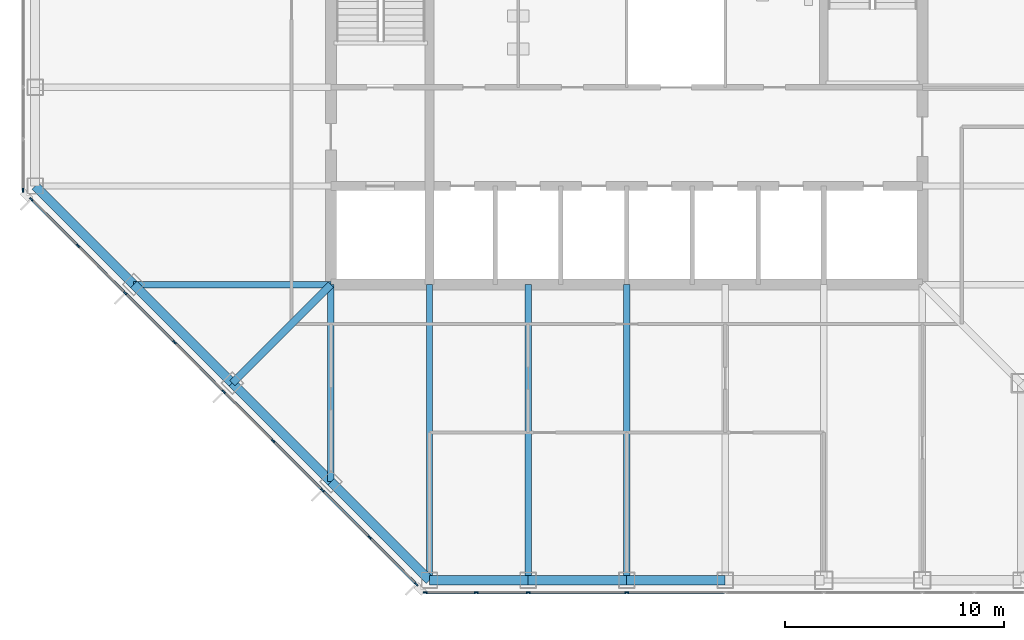
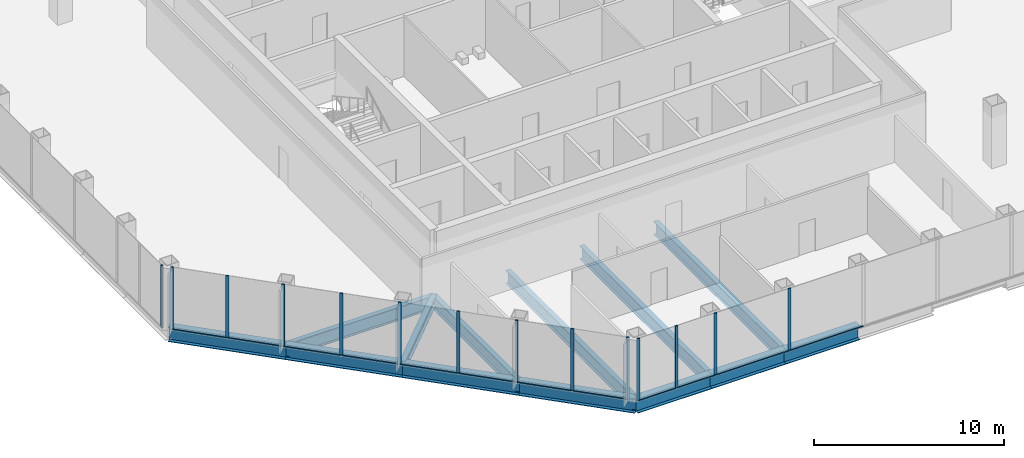
# One storey, part 2 of 12: 26 members, 13 beams, 3 elements without a shape of their own.
"""IFC4 building model written with IfcOpenShell, lengths in metres."""

from ifc_helpers import new_model, si_unit, direction, frame, origin, origin_2d, place, context, subcontext, project, spatial, rectangle, i_section, extrude, material, material_profile, profile_set, type_object, element, aggregate, save


model = new_model("IFC4")

# Units and contexts
model_context = context("Model", 3, precision=1e-05, world=origin(), true_north=direction((0.0, 1.0)))
body_context = subcontext(model_context, "Body", "Model", "MODEL_VIEW")
ifc_project = project(units=[si_unit("LENGTHUNIT", "METRE"), si_unit("AREAUNIT", "SQUARE_METRE"), si_unit("VOLUMEUNIT", "CUBIC_METRE"), si_unit("PLANEANGLEUNIT", "RADIAN"), si_unit("MASSUNIT", "GRAM", prefix="KILO")], contexts=[model_context])

# Site, building, storey
site_placement = place(None, origin())
site = spatial("IfcSite", under=ifc_project, at=site_placement, CompositionType="ELEMENT")
building_placement = place(site_placement, origin())
building = spatial("IfcBuilding", under=site, at=building_placement, Name="Corais Broadcast Tower", CompositionType="ELEMENT")
storey_placement = place(building_placement, frame((0.0, 0.0, 187.60009765625)))
storey = spatial("IfcBuildingStorey", under=building, at=storey_placement, Name="L43", CompositionType="ELEMENT", Elevation=187.60009765625)

# Beams
ifc_material_1 = material(Name="Steel ASTM A572 Grade 50", Category="steel")
ifc_material_profile_1 = material_profile(ifc_material_1, i_section(OverallWidth=0.323974609375, OverallDepth=0.611083984375, WebThickness=0.0126953125, FlangeThickness=0.01904296875, at=origin_2d()), Name="W610x155")
ifc_profile_set_1 = profile_set([ifc_material_profile_1], Name="Steel ASTM A572 Grade 50")
beam_type_1 = type_object("IfcBeamType", Name="Corner diagonal W610x155", PredefinedType="BEAM", material=ifc_profile_set_1)
beam_1_placement = place(storey_placement, frame((9.0, 9.0, -0.465576171875), z_axis=(0.707106781187, 0.707106781187, 0.0), x_axis=(-0.707106781187, 0.707106781187, 0.0)))
element("IfcBeam", 1, at=beam_1_placement, inside=storey, type_object=beam_type_1, Name="B6 C/5 to D/6", PredefinedType="BEAM", context=body_context, shape_type="SweptSolid", body=[
    extrude(i_section(OverallWidth=0.323974609375, OverallDepth=0.611083984375, WebThickness=0.0126953125, FlangeThickness=0.01904296875, at=origin_2d()), origin(), (0.0, 0.0, 1.0), 6.364013671875),
])
ifc_material_2 = material(Name="Steel ASTM A572 Grade 50", Category="steel")
ifc_material_profile_2 = material_profile(ifc_material_2, i_section(OverallWidth=0.2939453125, OverallDepth=0.85107421875, WebThickness=0.01611328125, FlangeThickness=0.02685546875, at=origin_2d()), Name="W840x226")
ifc_profile_set_2 = profile_set([ifc_material_profile_2], Name="Steel ASTM A572 Grade 50")
beam_type_2 = type_object("IfcBeamType", Name="Floor beam W840x226", PredefinedType="BEAM", material=ifc_profile_set_2)
beam_2_placement = place(storey_placement, frame((13.5, 4.5, -0.585693359375), z_axis=(0.0, 1.0, 0.0), x_axis=(-1.0, 0.0, 0.0)))
element("IfcBeam", 2, at=beam_2_placement, inside=storey, type_object=beam_type_2, Name="B1 B/6 to D/6", PredefinedType="BEAM", context=body_context, shape_type="SweptSolid", body=[
    extrude(i_section(OverallWidth=0.2939453125, OverallDepth=0.85107421875, WebThickness=0.01611328125, FlangeThickness=0.02685546875, at=origin_2d()), origin(), (0.0, 0.0, 1.0), 9.0),
])
for number, where, z_axis, x_axis, name in (
    (3, (18.0, 0.0, -0.585693359375), (0.0, 1.0, 0.0), (-1.0, 0.0, 0.0), "B1 A/7 to D/7"),
    (4, (22.5, 0.0, -0.585693359375), (0.0, 1.0, 0.0), (-1.0, 0.0, 0.0), "B1 A/8 to D/8"),
    (5, (27.0, 0.0, -0.585693359375), (0.0, 1.0, 0.0), (-1.0, 0.0, 0.0), "B1 A/9 to D/9"),
):
    element("IfcBeam", number, at=place(storey_placement, frame(where, z_axis=z_axis, x_axis=x_axis)), inside=storey, type_object=beam_type_2, Name=name, PredefinedType="BEAM", context=body_context, shape_type="SweptSolid", body=[
        extrude(i_section(OverallWidth=0.2939453125, OverallDepth=0.85107421875, WebThickness=0.01611328125, FlangeThickness=0.02685546875, at=origin_2d()), origin(), (0.0, 0.0, 1.0), 13.5),
    ])
beam_3_placement = place(storey_placement, frame((4.5, 13.5, -0.585693359375), z_axis=(1.0, 0.0, 0.0), x_axis=(0.0, 1.0, 0.0)))
element("IfcBeam", 6, at=beam_3_placement, inside=storey, type_object=beam_type_2, Name="B1 D/4 to D/6", PredefinedType="BEAM", context=body_context, shape_type="SweptSolid", body=[
    extrude(i_section(OverallWidth=0.2939453125, OverallDepth=0.85107421875, WebThickness=0.01611328125, FlangeThickness=0.02685546875, at=origin_2d()), origin(), (0.0, 0.0, 1.0), 9.0),
])

# Curtain wall, members
ifc_material_3 = material(Name="Aluminium and glass", Category="aluminium")
curtain_wall_type = type_object("IfcCurtainWallType", Name="Unitised fritted curtain wall CW2", PredefinedType="NOTDEFINED", material=ifc_material_3)
curtain_wall_1_placement = place(storey_placement, origin())
curtain_wall_1 = element("IfcCurtainWall", 7, at=curtain_wall_1_placement, inside=storey, type_object=curtain_wall_type, Name="CW2 curtain wall L43 1", PredefinedType="NOTDEFINED")
ifc_material_4 = material(Name="Aluminium 6063-T6", Category="aluminium")
ifc_material_profile_3 = material_profile(ifc_material_4, rectangle(XDim=0.06494140625, YDim=0.179931640625, at=origin_2d()), Name="Mullion CW2 65x180")
ifc_profile_set_3 = profile_set([ifc_material_profile_3], Name="Aluminium 6063-T6")
member_type_1 = type_object("IfcMemberType", Name="Mullion CW2 65x180", PredefinedType="MULLION", material=ifc_profile_set_3)
member_1_placement = place(storey_placement, frame((17.3955078125, -0.17333984375, 0.0), z_axis=(0.0, 0.0, 1.0), x_axis=(-0.707106781187, -0.707106781187, 0.0)))
member_1 = element("IfcMember", 8, at=member_1_placement, type_object=member_type_1, Name="CW2 mullion 1", PredefinedType="MULLION", context=body_context, shape_type="SweptSolid", body=[
    extrude(rectangle(XDim=0.06494140625, YDim=0.179931640625, at=origin_2d()), origin(), (0.0, 0.0, 1.0), 4.0),
])
member_2_placement = place(storey_placement, frame((15.264892578125, 1.957275390625, 0.0), z_axis=(0.0, 0.0, 1.0), x_axis=(-0.707106781187, -0.707106781187, 0.0)))
member_2 = element("IfcMember", 9, at=member_2_placement, type_object=member_type_1, Name="CW2 mullion 2", PredefinedType="MULLION", context=body_context, shape_type="SweptSolid", body=[
    extrude(rectangle(XDim=0.06494140625, YDim=0.179931640625, at=origin_2d()), origin(), (0.0, 0.0, 1.0), 4.0),
])
member_3_placement = place(storey_placement, frame((13.111083984375, 4.111083984375, 0.0), z_axis=(0.0, 0.0, 1.0), x_axis=(-0.707106781187, -0.707106781187, 0.0)))
member_3 = element("IfcMember", 10, at=member_3_placement, type_object=member_type_1, Name="CW2 mullion 3", PredefinedType="MULLION", context=body_context, shape_type="SweptSolid", body=[
    extrude(rectangle(XDim=0.06494140625, YDim=0.179931640625, at=origin_2d()), origin(), (0.0, 0.0, 1.0), 4.0),
])
member_4_placement = place(storey_placement, frame((10.861083984375, 6.361083984375, 0.0), z_axis=(0.0, 0.0, 1.0), x_axis=(-0.707106781187, -0.707106781187, 0.0)))
member_4 = element("IfcMember", 11, at=member_4_placement, type_object=member_type_1, Name="CW2 mullion 4", PredefinedType="MULLION", context=body_context, shape_type="SweptSolid", body=[
    extrude(rectangle(XDim=0.06494140625, YDim=0.179931640625, at=origin_2d()), origin(), (0.0, 0.0, 1.0), 4.0),
])
member_5_placement = place(storey_placement, frame((8.611083984375, 8.611083984375, 0.0), z_axis=(0.0, 0.0, 1.0), x_axis=(-0.707106781187, -0.707106781187, 0.0)))
member_5 = element("IfcMember", 12, at=member_5_placement, type_object=member_type_1, Name="CW2 mullion 5", PredefinedType="MULLION", context=body_context, shape_type="SweptSolid", body=[
    extrude(rectangle(XDim=0.06494140625, YDim=0.179931640625, at=origin_2d()), origin(), (0.0, 0.0, 1.0), 4.0),
])
member_6_placement = place(storey_placement, frame((6.361083984375, 10.861083984375, 0.0), z_axis=(0.0, 0.0, 1.0), x_axis=(-0.707106781187, -0.707106781187, 0.0)))
member_6 = element("IfcMember", 13, at=member_6_placement, type_object=member_type_1, Name="CW2 mullion 6", PredefinedType="MULLION", context=body_context, shape_type="SweptSolid", body=[
    extrude(rectangle(XDim=0.06494140625, YDim=0.179931640625, at=origin_2d()), origin(), (0.0, 0.0, 1.0), 4.0),
])
member_7_placement = place(storey_placement, frame((4.111083984375, 13.111083984375, 0.0), z_axis=(0.0, 0.0, 1.0), x_axis=(-0.707106781187, -0.707106781187, 0.0)))
member_7 = element("IfcMember", 14, at=member_7_placement, type_object=member_type_1, Name="CW2 mullion 7", PredefinedType="MULLION", context=body_context, shape_type="SweptSolid", body=[
    extrude(rectangle(XDim=0.06494140625, YDim=0.179931640625, at=origin_2d()), origin(), (0.0, 0.0, 1.0), 4.0),
])
member_8_placement = place(storey_placement, frame((1.957275390625, 15.264892578125, 0.0), z_axis=(0.0, 0.0, 1.0), x_axis=(-0.707106781187, -0.707106781187, 0.0)))
member_8 = element("IfcMember", 15, at=member_8_placement, type_object=member_type_1, Name="CW2 mullion 8", PredefinedType="MULLION", context=body_context, shape_type="SweptSolid", body=[
    extrude(rectangle(XDim=0.06494140625, YDim=0.179931640625, at=origin_2d()), origin(), (0.0, 0.0, 1.0), 4.0),
])
member_9_placement = place(storey_placement, frame((-0.17333984375, 17.3955078125, 0.0), z_axis=(0.0, 0.0, 1.0), x_axis=(-0.707106781187, -0.707106781187, 0.0)))
member_9 = element("IfcMember", 16, at=member_9_placement, type_object=member_type_1, Name="CW2 mullion 9", PredefinedType="MULLION", context=body_context, shape_type="SweptSolid", body=[
    extrude(rectangle(XDim=0.06494140625, YDim=0.179931640625, at=origin_2d()), origin(), (0.0, 0.0, 1.0), 4.0),
])

# Curtain wall, member
curtain_wall_2_placement = place(storey_placement, origin())
curtain_wall_2 = element("IfcCurtainWall", 17, at=curtain_wall_2_placement, inside=storey, type_object=curtain_wall_type, Name="CW2 curtain wall L43 2", PredefinedType="NOTDEFINED")
member_10_placement = place(storey_placement, frame((-0.550048828125, 17.8046875, 0.0), z_axis=(0.0, 0.0, 1.0), x_axis=(-1.0, 0.0, 0.0)))
member_10 = element("IfcMember", 18, at=member_10_placement, type_object=member_type_1, Name="CW2 mullion 1", PredefinedType="MULLION", context=body_context, shape_type="SweptSolid", body=[
    extrude(rectangle(XDim=0.06494140625, YDim=0.179931640625, at=origin_2d()), origin(), (0.0, 0.0, 1.0), 4.0),
])
aggregate(curtain_wall_2, [member_10])

# Curtain wall, members
curtain_wall_3_placement = place(storey_placement, origin())
curtain_wall_3 = element("IfcCurtainWall", 19, at=curtain_wall_3_placement, inside=storey, type_object=curtain_wall_type, Name="CW2 curtain wall L43 8", PredefinedType="NOTDEFINED")
member_11_placement = place(storey_placement, frame((27.0, -0.550048828125, 0.0), z_axis=(0.0, 0.0, 1.0), x_axis=(0.0, -1.0, 0.0)))
member_11 = element("IfcMember", 20, at=member_11_placement, type_object=member_type_1, Name="CW2 mullion 6", PredefinedType="MULLION", context=body_context, shape_type="SweptSolid", body=[
    extrude(rectangle(XDim=0.06494140625, YDim=0.179931640625, at=origin_2d()), origin(), (0.0, 0.0, 1.0), 4.0),
])
member_12_placement = place(storey_placement, frame((22.5, -0.550048828125, 0.0), z_axis=(0.0, 0.0, 1.0), x_axis=(0.0, -1.0, 0.0)))
member_12 = element("IfcMember", 21, at=member_12_placement, type_object=member_type_1, Name="CW2 mullion 7", PredefinedType="MULLION", context=body_context, shape_type="SweptSolid", body=[
    extrude(rectangle(XDim=0.06494140625, YDim=0.179931640625, at=origin_2d()), origin(), (0.0, 0.0, 1.0), 4.0),
])
member_13_placement = place(storey_placement, frame((20.135986328125, -0.550048828125, 0.0), z_axis=(0.0, 0.0, 1.0), x_axis=(0.0, -1.0, 0.0)))
member_13 = element("IfcMember", 22, at=member_13_placement, type_object=member_type_1, Name="CW2 mullion 8", PredefinedType="MULLION", context=body_context, shape_type="SweptSolid", body=[
    extrude(rectangle(XDim=0.06494140625, YDim=0.179931640625, at=origin_2d()), origin(), (0.0, 0.0, 1.0), 4.0),
])
member_14_placement = place(storey_placement, frame((17.8046875, -0.550048828125, 0.0), z_axis=(0.0, 0.0, 1.0), x_axis=(0.0, -1.0, 0.0)))
member_14 = element("IfcMember", 23, at=member_14_placement, type_object=member_type_1, Name="CW2 mullion 9", PredefinedType="MULLION", context=body_context, shape_type="SweptSolid", body=[
    extrude(rectangle(XDim=0.06494140625, YDim=0.179931640625, at=origin_2d()), origin(), (0.0, 0.0, 1.0), 4.0),
])

# Beams
ifc_material_5 = material(Name="Steel ASTM A572 Grade 50", Category="steel")
ifc_material_profile_4 = material_profile(ifc_material_5, i_section(OverallWidth=0.4189453125, OverallDepth=0.94189453125, WebThickness=0.022216796875, FlangeThickness=0.03662109375, at=origin_2d()), Name="W920x345")
ifc_profile_set_4 = profile_set([ifc_material_profile_4], Name="Steel ASTM A572 Grade 50")
beam_type_3 = type_object("IfcBeamType", Name="Transfer spandrel W920x345", PredefinedType="BEAM", material=ifc_profile_set_4)
for number, where, z_axis, x_axis, name in (
    (24, (0.0, 18.0, -0.631103515625), (0.707106781187, -0.707106781187, 0.0), (0.707106781187, 0.707106781187, 0.0), "SB4 E/3 to D/4"),
    (25, (13.5, 4.5, -0.631103515625), (0.707106781187, -0.707106781187, 0.0), (0.707106781187, 0.707106781187, 0.0), "SB4 B/6 to A/7"),
):
    element("IfcBeam", number, at=place(storey_placement, frame(where, z_axis=z_axis, x_axis=x_axis)), inside=storey, type_object=beam_type_3, Name=name, PredefinedType="BEAM", context=body_context, shape_type="SweptSolid", body=[
        extrude(i_section(OverallWidth=0.4189453125, OverallDepth=0.94189453125, WebThickness=0.022216796875, FlangeThickness=0.03662109375, at=origin_2d()), origin(), (0.0, 0.0, 1.0), 6.364013671875),
    ])
for number, where, z_axis, x_axis, name in (
    (26, (18.0, 0.0, -0.631103515625), (1.0, 0.0, 0.0), (0.0, 1.0, 0.0), "SB4 A/7 to A/8"),
    (27, (22.5, 0.0, -0.631103515625), (1.0, 0.0, 0.0), (0.0, 1.0, 0.0), "SB4 A/8 to A/9"),
    (28, (27.0, 0.0, -0.631103515625), (1.0, 0.0, 0.0), (0.0, 1.0, 0.0), "SB4 A/9 to A/10"),
):
    element("IfcBeam", number, at=place(storey_placement, frame(where, z_axis=z_axis, x_axis=x_axis)), inside=storey, type_object=beam_type_3, Name=name, PredefinedType="BEAM", context=body_context, shape_type="SweptSolid", body=[
        extrude(i_section(OverallWidth=0.4189453125, OverallDepth=0.94189453125, WebThickness=0.022216796875, FlangeThickness=0.03662109375, at=origin_2d()), origin(), (0.0, 0.0, 1.0), 4.5),
    ])
for number, where, z_axis, x_axis, name in (
    (29, (4.5, 13.5, -0.631103515625), (0.707106781187, -0.707106781187, 0.0), (0.707106781187, 0.707106781187, 0.0), "SB4 D/4 to C/5"),
    (30, (9.0, 9.0, -0.631103515625), (0.707106781187, -0.707106781187, 0.0), (0.707106781187, 0.707106781187, 0.0), "SB4 C/5 to B/6"),
):
    element("IfcBeam", number, at=place(storey_placement, frame(where, z_axis=z_axis, x_axis=x_axis)), inside=storey, type_object=beam_type_3, Name=name, PredefinedType="BEAM", context=body_context, shape_type="SweptSolid", body=[
        extrude(i_section(OverallWidth=0.4189453125, OverallDepth=0.94189453125, WebThickness=0.022216796875, FlangeThickness=0.03662109375, at=origin_2d()), origin(), (0.0, 0.0, 1.0), 6.364013671875),
    ])

# Member
ifc_material_6 = material(Name="Aluminium 6063-T6", Category="aluminium")
ifc_material_profile_5 = material_profile(ifc_material_6, rectangle(XDim=0.1298828125, YDim=0.06494140625, at=origin_2d()), Name="Transom CW2 65x130")
ifc_profile_set_5 = profile_set([ifc_material_profile_5], Name="Aluminium 6063-T6")
member_type_2 = type_object("IfcMemberType", Name="Transom CW2 65x130", PredefinedType="USERDEFINED", material=ifc_profile_set_5)
member_15_placement = place(storey_placement, frame((17.37255859375, -0.150390625, 0.032470703125), z_axis=(-0.707106781187, 0.707106781187, 0.0), x_axis=(-0.707106781187, -0.707106781187, 0.0)))
member_15 = element("IfcMember", 31, at=member_15_placement, type_object=member_type_2, Name="CW2 transom 1.1", ObjectType="TRANSOM", PredefinedType="USERDEFINED", context=body_context, shape_type="SweptSolid", body=[
    extrude(rectangle(XDim=0.1298828125, YDim=0.06494140625, at=origin_2d()), origin(), (0.0, 0.0, 1.0), 2.9482421875),
])

member_16_placement = place(storey_placement, frame((15.241943359375, 1.980224609375, 0.032470703125), z_axis=(-0.707106781187, 0.707106781187, 0.0), x_axis=(-0.707106781187, -0.707106781187, 0.0)))
member_16 = element("IfcMember", 32, at=member_16_placement, type_object=member_type_2, Name="CW2 transom 2.1", ObjectType="TRANSOM", PredefinedType="USERDEFINED", context=body_context, shape_type="SweptSolid", body=[
    extrude(rectangle(XDim=0.1298828125, YDim=0.06494140625, at=origin_2d()), origin(), (0.0, 0.0, 1.0), 2.98095703125),
])

member_17_placement = place(storey_placement, frame((13.088134765625, 4.134033203125, 0.032470703125), z_axis=(-0.707106781187, 0.707106781187, 0.0), x_axis=(-0.707106781187, -0.707106781187, 0.0)))
member_17 = element("IfcMember", 33, at=member_17_placement, type_object=member_type_2, Name="CW2 transom 3.1", ObjectType="TRANSOM", PredefinedType="USERDEFINED", context=body_context, shape_type="SweptSolid", body=[
    extrude(rectangle(XDim=0.1298828125, YDim=0.06494140625, at=origin_2d()), origin(), (0.0, 0.0, 1.0), 3.1171875),
])

member_18_placement = place(storey_placement, frame((10.838134765625, 6.384033203125, 0.032470703125), z_axis=(-0.707106781187, 0.707106781187, 0.0), x_axis=(-0.707106781187, -0.707106781187, 0.0)))
member_18 = element("IfcMember", 34, at=member_18_placement, type_object=member_type_2, Name="CW2 transom 4.1", ObjectType="TRANSOM", PredefinedType="USERDEFINED", context=body_context, shape_type="SweptSolid", body=[
    extrude(rectangle(XDim=0.1298828125, YDim=0.06494140625, at=origin_2d()), origin(), (0.0, 0.0, 1.0), 3.1171875),
])

member_19_placement = place(storey_placement, frame((8.588134765625, 8.634033203125, 0.032470703125), z_axis=(-0.707106781187, 0.707106781187, 0.0), x_axis=(-0.707106781187, -0.707106781187, 0.0)))
member_19 = element("IfcMember", 35, at=member_19_placement, type_object=member_type_2, Name="CW2 transom 5.1", ObjectType="TRANSOM", PredefinedType="USERDEFINED", context=body_context, shape_type="SweptSolid", body=[
    extrude(rectangle(XDim=0.1298828125, YDim=0.06494140625, at=origin_2d()), origin(), (0.0, 0.0, 1.0), 3.1171875),
])

member_20_placement = place(storey_placement, frame((6.338134765625, 10.884033203125, 0.032470703125), z_axis=(-0.707106781187, 0.707106781187, 0.0), x_axis=(-0.707106781187, -0.707106781187, 0.0)))
member_20 = element("IfcMember", 36, at=member_20_placement, type_object=member_type_2, Name="CW2 transom 6.1", ObjectType="TRANSOM", PredefinedType="USERDEFINED", context=body_context, shape_type="SweptSolid", body=[
    extrude(rectangle(XDim=0.1298828125, YDim=0.06494140625, at=origin_2d()), origin(), (0.0, 0.0, 1.0), 3.1171875),
])

member_21_placement = place(storey_placement, frame((4.088134765625, 13.134033203125, 0.032470703125), z_axis=(-0.707065828661, 0.70714773134, 0.0), x_axis=(-0.70714773134, -0.707065828661, 0.0)))
member_21 = element("IfcMember", 37, at=member_21_placement, type_object=member_type_2, Name="CW2 transom 7.1", ObjectType="TRANSOM", PredefinedType="USERDEFINED", context=body_context, shape_type="SweptSolid", body=[
    extrude(rectangle(XDim=0.1298828125, YDim=0.06494140625, at=origin_2d()), origin(), (0.0, 0.0, 1.0), 2.98095703125),
])

member_22_placement = place(storey_placement, frame((1.934326171875, 15.287841796875, 0.032470703125), z_axis=(-0.707106781187, 0.707106781187, 0.0), x_axis=(-0.707106781187, -0.707106781187, 0.0)))
member_22 = element("IfcMember", 38, at=member_22_placement, type_object=member_type_2, Name="CW2 transom 8.1", ObjectType="TRANSOM", PredefinedType="USERDEFINED", context=body_context, shape_type="SweptSolid", body=[
    extrude(rectangle(XDim=0.1298828125, YDim=0.06494140625, at=origin_2d()), origin(), (0.0, 0.0, 1.0), 2.9482421875),
])

aggregate(curtain_wall_1, [member_1, member_2, member_3, member_4, member_5, member_6, member_7, member_8, member_9, member_15, member_16, member_17, member_18, member_19, member_20, member_21, member_22])

member_23_placement = place(storey_placement, frame((31.467529296875, -0.550048828125, 0.032470703125), z_axis=(-1.0, 0.0, 0.0), x_axis=(0.0, -1.0, 0.0)))
member_23 = element("IfcMember", 39, at=member_23_placement, type_object=member_type_2, Name="CW2 transom 5.1", ObjectType="TRANSOM", PredefinedType="USERDEFINED", context=body_context, shape_type="SweptSolid", body=[
    extrude(rectangle(XDim=0.1298828125, YDim=0.06494140625, at=origin_2d()), origin(), (0.0, 0.0, 1.0), 4.43505859375),
])

member_24_placement = place(storey_placement, frame((26.967529296875, -0.550048828125, 0.032470703125), z_axis=(-1.0, 0.0, 0.0), x_axis=(0.0, -1.0, 0.0)))
member_24 = element("IfcMember", 40, at=member_24_placement, type_object=member_type_2, Name="CW2 transom 6.1", ObjectType="TRANSOM", PredefinedType="USERDEFINED", context=body_context, shape_type="SweptSolid", body=[
    extrude(rectangle(XDim=0.1298828125, YDim=0.06494140625, at=origin_2d()), origin(), (0.0, 0.0, 1.0), 4.43505859375),
])

member_25_placement = place(storey_placement, frame((22.467529296875, -0.550048828125, 0.032470703125), z_axis=(-1.0, 0.0, 0.0), x_axis=(0.0, -1.0, 0.0)))
member_25 = element("IfcMember", 41, at=member_25_placement, type_object=member_type_2, Name="CW2 transom 7.1", ObjectType="TRANSOM", PredefinedType="USERDEFINED", context=body_context, shape_type="SweptSolid", body=[
    extrude(rectangle(XDim=0.1298828125, YDim=0.06494140625, at=origin_2d()), origin(), (0.0, 0.0, 1.0), 2.298828125),
])

member_26_placement = place(storey_placement, frame((20.103515625, -0.550048828125, 0.032470703125), z_axis=(-1.0, 0.0, 0.0), x_axis=(0.0, -1.0, 0.0)))
member_26 = element("IfcMember", 42, at=member_26_placement, type_object=member_type_2, Name="CW2 transom 8.1", ObjectType="TRANSOM", PredefinedType="USERDEFINED", context=body_context, shape_type="SweptSolid", body=[
    extrude(rectangle(XDim=0.1298828125, YDim=0.06494140625, at=origin_2d()), origin(), (0.0, 0.0, 1.0), 2.266357421875),
])

aggregate(curtain_wall_3, [member_11, member_12, member_13, member_14, member_23, member_24, member_25, member_26])

save(model, "model.ifc")
